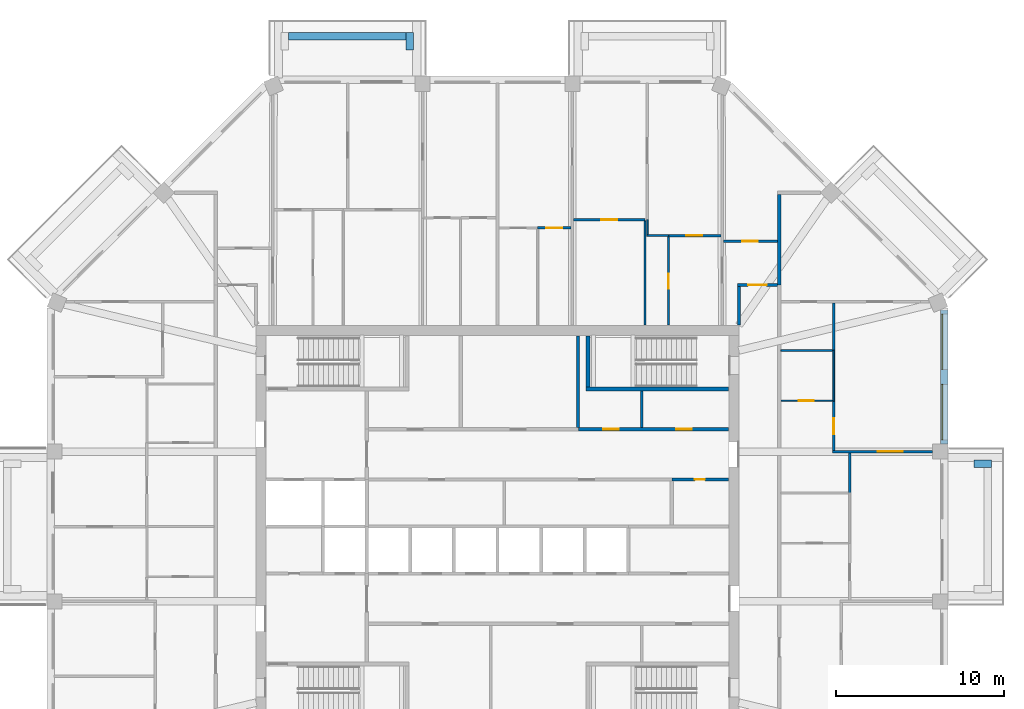
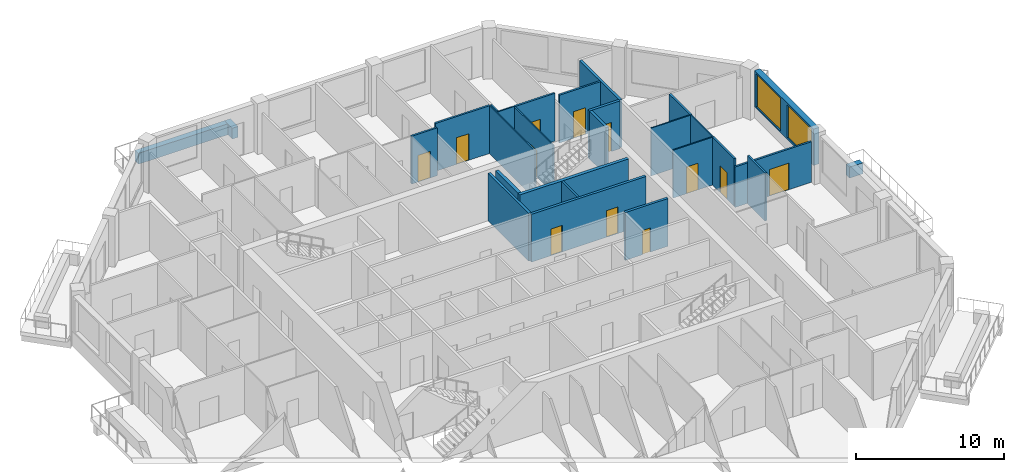
# One storey, part 9 of 13: 28 walls, 12 doors, 2 windows, 14 openings.
"""IFC4 building model written with IfcOpenShell, lengths in metres."""

from ifc_helpers import new_model, si_unit, direction, frame, frame_2d, origin, place, context, subcontext, project, spatial, rectangle, extrude, material, layer, layer_set, type_object, element, fill, save


model = new_model("IFC4")

# Units and contexts
model_context = context("Model", 3, precision=1e-05, world=origin(), true_north=direction((0.0, 1.0)))
body_context = subcontext(model_context, "Body", "Model", "MODEL_VIEW")
ifc_project = project(units=[si_unit("LENGTHUNIT", "METRE"), si_unit("AREAUNIT", "SQUARE_METRE"), si_unit("VOLUMEUNIT", "CUBIC_METRE"), si_unit("PLANEANGLEUNIT", "RADIAN"), si_unit("MASSUNIT", "GRAM", prefix="KILO")], contexts=[model_context])

# Site, building, storey
site_placement = place(None, origin())
site = spatial("IfcSite", under=ifc_project, at=site_placement, CompositionType="ELEMENT")
building_placement = place(site_placement, origin())
building = spatial("IfcBuilding", under=site, at=building_placement, Name="Msitu Wima Residences", CompositionType="ELEMENT")
storey_placement = place(building_placement, frame((0.0, 0.0, 285.300048828125)))
storey = spatial("IfcBuildingStorey", under=building, at=storey_placement, Name="L66", CompositionType="ELEMENT", Elevation=285.300048828125)

# Walls
ifc_material_1 = material(Name="Facing brick")
ifc_layer_1 = layer(ifc_material_1, 0.06494140625, Name="Facing brick")
ifc_material_2 = material(Name="Concrete C40/50", Category="concrete")
ifc_layer_2 = layer(ifc_material_2, 0.156005859375, Name="Concrete C40/50")
ifc_material_3 = material(Name="Waterproofing membrane")
ifc_layer_3 = layer(ifc_material_3, 0.00390625, Name="Waterproofing membrane")
ifc_material_4 = material(Name="Planting soil and planting")
ifc_layer_4 = layer(ifc_material_4, 0.22509765625, Name="Planting soil and planting")
ifc_layer_set_1 = layer_set([ifc_layer_1, ifc_layer_2, ifc_layer_3, ifc_layer_4], Name="Concrete C40/50")
wall_type_1 = type_object("IfcWallType", Name="Balcony planter PLANTER PL450", PredefinedType="USERDEFINED", material=ifc_layer_set_1)
wall_1_placement = place(storey_placement, frame((28.39990234375, 3.74365234375, 0.0), z_axis=(0.0, 0.0, 1.0), x_axis=(1.0, 0.0, 0.0)))
element("IfcWall", 1, at=wall_1_placement, inside=storey, type_object=wall_type_1, Name="Balcony planter E1 L66", ObjectType="PLANTER", PredefinedType="USERDEFINED", context=body_context, shape_type="SweptSolid", body=[
    extrude(rectangle(XDim=1.050048828125, YDim=0.449951171875, at=frame_2d((0.52490234375, 0.0))), origin(), (0.0, 0.0, 1.0), 0.89990234375),
])
wall_2_placement = place(storey_placement, frame((-5.468505859375, 29.22509765625, 0.0), z_axis=(0.0, 0.0, 1.0), x_axis=(-1.0, 0.0, 0.0)))
element("IfcWall", 2, at=wall_2_placement, inside=storey, type_object=wall_type_1, Name="Balcony planter N2 L66", ObjectType="PLANTER", PredefinedType="USERDEFINED", context=body_context, shape_type="SweptSolid", body=[
    extrude(rectangle(XDim=6.9873046875, YDim=0.449951171875, at=frame_2d((3.49365234375, 0.0))), origin(), (0.0, 0.0, 1.0), 0.89990234375),
])
wall_3_placement = place(storey_placement, frame((-5.24365234375, 28.39990234375, 0.0), z_axis=(0.0, 0.0, 1.0), x_axis=(0.0, 1.0, 0.0)))
element("IfcWall", 3, at=wall_3_placement, inside=storey, type_object=wall_type_1, Name="Balcony planter N2 L66", ObjectType="PLANTER", PredefinedType="USERDEFINED", context=body_context, shape_type="SweptSolid", body=[
    extrude(rectangle(XDim=1.050048828125, YDim=0.449951171875, at=frame_2d((0.52490234375, 0.0))), origin(), (0.0, 0.0, 1.0), 0.89990234375),
])

# Wall, openings, windows
ifc_material_5 = material(Name="Brick (red buff mix)", Category="masonry")
ifc_layer_5 = layer(ifc_material_5, 0.449951171875)
ifc_layer_set_2 = layer_set([ifc_layer_5], Name="Brick (red buff mix)")
wall_type_2 = type_object("IfcWallType", Name="Brick infill wall BW450", PredefinedType="SOLIDWALL", material=ifc_layer_set_2)
wall_4_placement = place(storey_placement, frame((26.625, 4.918701171875, 0.89990234375), z_axis=(0.0, 0.0, 1.0), x_axis=(0.0, 1.0, 0.0)))
wall_4 = element("IfcWall", 4, at=wall_4_placement, inside=storey, type_object=wall_type_2, Name="Brick infill wall L66 E2", PredefinedType="SOLIDWALL", context=body_context, shape_type="SweptSolid", body=[
    extrude(rectangle(XDim=8.0, YDim=0.449951171875, at=frame_2d((4.0, 0.0))), origin(), (0.0, 0.0, 1.0), 3.0),
])
opening_1_placement = place(wall_4_placement, frame((0.25, 0.0, 0.14990234375)))
opening_1 = element("IfcOpeningElement", 5, at=opening_1_placement, cuts=wall_4, Name="Opening W65-67.004", PredefinedType="OPENING", context=body_context, shape_type="SweptSolid", body=[
    extrude(rectangle(XDim=3.300048828125, YDim=2.699951171875, at=frame_2d((1.64990234375, 1.35009765625))), frame((0.0, 0.23486328125, 0.0), z_axis=(0.0, -1.0, 0.0), x_axis=(1.0, 0.0, 0.0)), (0.0, 0.0, 1.0), 0.469970703125),
])
opening_2_placement = place(wall_4_placement, frame((4.4501953125, 0.0, 0.14990234375)))
opening_2 = element("IfcOpeningElement", 6, at=opening_2_placement, cuts=wall_4, Name="Opening W65-67.005", PredefinedType="OPENING", context=body_context, shape_type="SweptSolid", body=[
    extrude(rectangle(XDim=3.300048828125, YDim=2.699951171875, at=frame_2d((1.64990234375, 1.35009765625))), frame((0.0, 0.23486328125, 0.0), z_axis=(0.0, -1.0, 0.0), x_axis=(1.0, 0.0, 0.0)), (0.0, 0.0, 1.0), 0.469970703125),
])
ifc_material_6 = material(Name="Anodised aluminium, bronze finish, clear low-emissivity double glazing", Category="aluminium")
window_type = type_object("IfcWindowType", Name="Window W3300x2700", PartitioningType="DOUBLE_PANEL_VERTICAL", PredefinedType="WINDOW", material=ifc_material_6)
window_1_placement = place(opening_1_placement, origin())
window_1 = element("IfcWindow", 7, at=window_1_placement, inside=storey, type_object=window_type, Name="Window L66 E2.1", OverallHeight=2.699951171875, OverallWidth=3.300048828125, PartitioningType="SINGLE_PANEL", PredefinedType="WINDOW", context=body_context, shape_type="SweptSolid", body=[
    extrude(rectangle(XDim=3.300048828125, YDim=2.699951171875, at=frame_2d((1.64990234375, 1.35009765625))), frame((0.0, 0.135009765625, 0.0), z_axis=(0.0, -1.0, 0.0), x_axis=(1.0, 0.0, 0.0)), (0.0, 0.0, 1.0), 0.06005859375),
])
fill(opening_1, window_1)
window_2_placement = place(opening_2_placement, origin())
window_2 = element("IfcWindow", 8, at=window_2_placement, inside=storey, type_object=window_type, Name="Window L66 E2.2", OverallHeight=2.699951171875, OverallWidth=3.300048828125, PartitioningType="SINGLE_PANEL", PredefinedType="WINDOW", context=body_context, shape_type="SweptSolid", body=[
    extrude(rectangle(XDim=3.300048828125, YDim=2.699951171875, at=frame_2d((1.64990234375, 1.35009765625))), frame((0.0, 0.135009765625, 0.0), z_axis=(0.0, -1.0, 0.0), x_axis=(1.0, 0.0, 0.0)), (0.0, 0.0, 1.0), 0.06005859375),
])
fill(opening_2, window_2)

# Wall, openings, doors
ifc_material_7 = material(Name="Plaster")
ifc_layer_6 = layer(ifc_material_7, 0.011962890625, Name="Plaster")
ifc_material_8 = material(Name="Concrete blockwork", Category="masonry")
ifc_layer_7 = layer(ifc_material_8, 0.176025390625, Name="Concrete blockwork")
ifc_layer_8 = layer(ifc_material_7, 0.011962890625, Name="Plaster")
ifc_layer_set_3 = layer_set([ifc_layer_6, ifc_layer_7, ifc_layer_8], Name="Concrete blockwork")
wall_type_3 = type_object("IfcWallType", Name="Corridor wall FW200", PredefinedType="PARTITIONING", material=ifc_layer_set_3)
wall_5_placement = place(storey_placement, frame((4.820068359375, 5.800048828125, 0.0), z_axis=(0.0, 0.0, 1.0), x_axis=(1.0, 0.0, 0.0)))
wall_5 = element("IfcWall", 9, at=wall_5_placement, inside=storey, type_object=wall_type_3, Name="Corridor wall", PredefinedType="PARTITIONING", context=body_context, shape_type="SweptSolid", body=[
    extrude(rectangle(XDim=8.949951171875, YDim=0.199951171875, at=frame_2d((4.47509765625, 0.0))), origin(), (0.0, 0.0, 1.0), 3.949951171875),
])
opening_3_placement = place(wall_5_placement, frame((1.5, 0.0, 0.0)))
opening_3 = element("IfcOpeningElement", 10, at=opening_3_placement, cuts=wall_5, Name="Opening D65-67.081", PredefinedType="OPENING", context=body_context, shape_type="SweptSolid", body=[
    extrude(rectangle(XDim=0.89990234375, YDim=2.199951171875, at=frame_2d((0.449951171875, 1.10009765625))), frame((0.0, 0.10986328125, 0.0), z_axis=(0.0, -1.0, 0.0), x_axis=(1.0, 0.0, 0.0)), (0.0, 0.0, 1.0), 0.219970703125),
])
opening_4_placement = place(wall_5_placement, frame((5.85009765625, 0.0, 0.0)))
opening_4 = element("IfcOpeningElement", 11, at=opening_4_placement, cuts=wall_5, Name="Opening D65-67.082", PredefinedType="OPENING", context=body_context, shape_type="SweptSolid", body=[
    extrude(rectangle(XDim=0.89990234375, YDim=2.199951171875, at=frame_2d((0.449951171875, 1.10009765625))), frame((0.0, 0.10986328125, 0.0), z_axis=(0.0, -1.0, 0.0), x_axis=(1.0, 0.0, 0.0)), (0.0, 0.0, 1.0), 0.219970703125),
])
ifc_material_9 = material(Name="Timber flush door", Category="wood")
door_type_1 = type_object("IfcDoorType", Name="Service door D05 900x2200", OperationType="SINGLE_SWING_LEFT", PredefinedType="DOOR", material=ifc_material_9)
door_1_placement = place(opening_3_placement, origin())
door_1 = element("IfcDoor", 12, at=door_1_placement, inside=storey, type_object=door_type_1, Name="Service door", OperationType="SINGLE_SWING_RIGHT", OverallHeight=2.199951171875, OverallWidth=0.89990234375, PredefinedType="DOOR", context=body_context, shape_type="SweptSolid", body=[
    extrude(rectangle(XDim=0.89990234375, YDim=2.199951171875, at=frame_2d((0.449951171875, 1.10009765625))), frame((0.0, 0.02490234375, 0.0), z_axis=(0.0, -1.0, 0.0), x_axis=(1.0, 0.0, 0.0)), (0.0, 0.0, 1.0), 0.050048828125),
])
fill(opening_3, door_1)
door_2_placement = place(opening_4_placement, origin())
door_2 = element("IfcDoor", 13, at=door_2_placement, inside=storey, type_object=door_type_1, Name="Service door", OperationType="SINGLE_SWING_LEFT", OverallHeight=2.199951171875, OverallWidth=0.89990234375, PredefinedType="DOOR", context=body_context, shape_type="SweptSolid", body=[
    extrude(rectangle(XDim=0.89990234375, YDim=2.199951171875, at=frame_2d((0.449951171875, 1.10009765625))), frame((0.0, 0.02490234375, 0.0), z_axis=(0.0, -1.0, 0.0), x_axis=(1.0, 0.0, 0.0)), (0.0, 0.0, 1.0), 0.050048828125),
])
fill(opening_4, door_2)

# Wall
wall_6_placement = place(storey_placement, frame((14.39990234375, 12.030029296875, 0.0), z_axis=(0.0, 0.0, 1.0), x_axis=(0.0, 1.0, 0.0)))
element("IfcWall", 14, at=wall_6_placement, inside=storey, type_object=wall_type_3, Name="Corridor wall", PredefinedType="PARTITIONING", context=body_context, shape_type="SweptSolid", body=[
    extrude(rectangle(XDim=2.27001953125, YDim=0.199951171875, at=frame_2d((1.135009765625, 0.0))), origin(), (0.0, 0.0, 1.0), 3.949951171875),
])

# Wall, opening, door
wall_7_placement = place(storey_placement, frame((14.300048828125, 14.39990234375, 0.0), z_axis=(0.0, 0.0, 1.0), x_axis=(1.0, 0.0, 0.0)))
wall_7 = element("IfcWall", 15, at=wall_7_placement, inside=storey, type_object=wall_type_3, Name="Corridor wall", PredefinedType="PARTITIONING", context=body_context, shape_type="SweptSolid", body=[
    extrude(rectangle(XDim=2.39990234375, YDim=0.199951171875, at=frame_2d((1.199951171875, 0.0))), origin(), (0.0, 0.0, 1.0), 3.949951171875),
])
opening_5_placement = place(wall_7_placement, frame((0.64990234375, 0.0, 0.0)))
opening_5 = element("IfcOpeningElement", 16, at=opening_5_placement, cuts=wall_7, Name="Opening D65-67.022", PredefinedType="OPENING", context=body_context, shape_type="SweptSolid", body=[
    extrude(rectangle(XDim=1.10009765625, YDim=2.39990234375, at=frame_2d((0.550048828125, 1.199951171875))), frame((0.0, 0.10986328125, 0.0), z_axis=(0.0, -1.0, 0.0), x_axis=(1.0, 0.0, 0.0)), (0.0, 0.0, 1.0), 0.219970703125),
])
ifc_material_10 = material(Name="Timber flush door, fire resisting, self-closing", Category="wood")
door_type_2 = type_object("IfcDoorType", Name="Flat entrance door D01 1100x2400", OperationType="SINGLE_SWING_LEFT", PredefinedType="DOOR", material=ifc_material_10)
door_3_placement = place(opening_5_placement, origin())
door_3 = element("IfcDoor", 17, at=door_3_placement, inside=storey, type_object=door_type_2, Name="Flat entrance door", OperationType="SINGLE_SWING_RIGHT", OverallHeight=2.39990234375, OverallWidth=1.10009765625, PredefinedType="DOOR", context=body_context, shape_type="SweptSolid", body=[
    extrude(rectangle(XDim=1.10009765625, YDim=2.39990234375, at=frame_2d((0.550048828125, 1.199951171875))), frame((0.0, 0.02490234375, 0.0), z_axis=(0.0, -1.0, 0.0), x_axis=(1.0, 0.0, 0.0)), (0.0, 0.0, 1.0), 0.050048828125),
])
fill(opening_5, door_3)

ifc_layer_9 = layer(ifc_material_7, 0.011962890625, Name="Plaster")
ifc_layer_10 = layer(ifc_material_8, 0.1259765625, Name="Concrete blockwork")
ifc_layer_11 = layer(ifc_material_7, 0.011962890625, Name="Plaster")
ifc_layer_set_4 = layer_set([ifc_layer_9, ifc_layer_10, ifc_layer_11], Name="Concrete blockwork")
wall_type_4 = type_object("IfcWallType", Name="Partition PW150", PredefinedType="PARTITIONING", material=ifc_layer_set_4)
wall_8_placement = place(storey_placement, frame((2.39990234375, 17.800048828125, 0.0), z_axis=(0.0, 0.0, 1.0), x_axis=(1.0, 0.0, 0.0)))
wall_8 = element("IfcWall", 18, at=wall_8_placement, inside=storey, type_object=wall_type_4, Name="Partition", PredefinedType="PARTITIONING", context=body_context, shape_type="SweptSolid", body=[
    extrude(rectangle(XDim=1.99365234375, YDim=0.14990234375, at=frame_2d((0.996826171875, 0.0))), origin(), (0.0, 0.0, 1.0), 3.949951171875),
])
opening_6_placement = place(wall_8_placement, frame((0.5, 0.0, 0.0)))
opening_6 = element("IfcOpeningElement", 19, at=opening_6_placement, cuts=wall_8, Name="Opening D65-67.031", PredefinedType="OPENING", context=body_context, shape_type="SweptSolid", body=[
    extrude(rectangle(XDim=0.949951171875, YDim=2.199951171875, at=frame_2d((0.47509765625, 1.10009765625))), frame((0.0, 0.0849609375, 0.0), z_axis=(0.0, -1.0, 0.0), x_axis=(1.0, 0.0, 0.0)), (0.0, 0.0, 1.0), 0.169921875),
])
door_type_3 = type_object("IfcDoorType", Name="Room door D12 950x2200", OperationType="SINGLE_SWING_LEFT", PredefinedType="DOOR", material=ifc_material_9)
door_4_placement = place(opening_6_placement, origin())
door_4 = element("IfcDoor", 20, at=door_4_placement, inside=storey, type_object=door_type_3, Name="Room door", OperationType="SINGLE_SWING_RIGHT", OverallHeight=2.199951171875, OverallWidth=0.949951171875, PredefinedType="DOOR", context=body_context, shape_type="SweptSolid", body=[
    extrude(rectangle(XDim=0.949951171875, YDim=2.199951171875, at=frame_2d((0.47509765625, 1.10009765625))), frame((0.0, 0.02490234375, 0.0), z_axis=(0.0, -1.0, 0.0), x_axis=(1.0, 0.0, 0.0)), (0.0, 0.0, 1.0), 0.050048828125),
])
fill(opening_6, door_4)

wall_9_placement = place(storey_placement, frame((4.543701171875, 18.300048828125, 0.0), z_axis=(0.0, 0.0, 1.0), x_axis=(1.0, 0.0, 0.0)))
wall_9 = element("IfcWall", 21, at=wall_9_placement, inside=storey, type_object=wall_type_4, Name="Partition", PredefinedType="PARTITIONING", context=body_context, shape_type="SweptSolid", body=[
    extrude(rectangle(XDim=4.25634765625, YDim=0.14990234375, at=frame_2d((2.128173828125, 0.0))), origin(), (0.0, 0.0, 1.0), 3.949951171875),
])
opening_7_placement = place(wall_9_placement, frame((1.64990234375, 0.0, 0.0)))
opening_7 = element("IfcOpeningElement", 22, at=opening_7_placement, cuts=wall_9, Name="Opening D65-67.028", PredefinedType="OPENING", context=body_context, shape_type="SweptSolid", body=[
    extrude(rectangle(XDim=0.949951171875, YDim=2.199951171875, at=frame_2d((0.47509765625, 1.10009765625))), frame((0.0, 0.0849609375, 0.0), z_axis=(0.0, -1.0, 0.0), x_axis=(1.0, 0.0, 0.0)), (0.0, 0.0, 1.0), 0.169921875),
])
door_5_placement = place(opening_7_placement, origin())
door_5 = element("IfcDoor", 23, at=door_5_placement, inside=storey, type_object=door_type_3, Name="Room door", OperationType="SINGLE_SWING_LEFT", OverallHeight=2.199951171875, OverallWidth=0.949951171875, PredefinedType="DOOR", context=body_context, shape_type="SweptSolid", body=[
    extrude(rectangle(XDim=0.949951171875, YDim=2.199951171875, at=frame_2d((0.47509765625, 1.10009765625))), frame((0.0, 0.02490234375, 0.0), z_axis=(0.0, -1.0, 0.0), x_axis=(1.0, 0.0, 0.0)), (0.0, 0.0, 1.0), 0.050048828125),
])
fill(opening_7, door_5)

# Wall
wall_10_placement = place(storey_placement, frame((8.60009765625, 5.89990234375, 0.0), z_axis=(0.0, 0.0, 1.0), x_axis=(0.0, 1.0, 0.0)))
element("IfcWall", 24, at=wall_10_placement, inside=storey, type_object=wall_type_4, Name="Partition", PredefinedType="PARTITIONING", context=body_context, shape_type="SweptSolid", body=[
    extrude(rectangle(XDim=2.175048828125, YDim=0.14990234375, at=frame_2d((1.08740234375, 0.0))), origin(), (0.0, 0.0, 1.0), 3.949951171875),
])

# Wall, opening, door
wall_11_placement = place(storey_placement, frame((10.199951171875, 17.35009765625, 0.0), z_axis=(0.0, 0.0, 1.0), x_axis=(1.0, 0.0, 0.0)))
wall_11 = element("IfcWall", 25, at=wall_11_placement, inside=storey, type_object=wall_type_4, Name="Partition", PredefinedType="PARTITIONING", context=body_context, shape_type="SweptSolid", body=[
    extrude(rectangle(XDim=3.130859375, YDim=0.14990234375, at=frame_2d((1.5654296875, 0.0))), origin(), (0.0, 0.0, 1.0), 3.949951171875),
])
opening_8_placement = place(wall_11_placement, frame((1.050048828125, 0.0, 0.0)))
opening_8 = element("IfcOpeningElement", 26, at=opening_8_placement, cuts=wall_11, Name="Opening D65-67.024", PredefinedType="OPENING", context=body_context, shape_type="SweptSolid", body=[
    extrude(rectangle(XDim=0.949951171875, YDim=2.199951171875, at=frame_2d((0.47509765625, 1.10009765625))), frame((0.0, 0.0849609375, 0.0), z_axis=(0.0, -1.0, 0.0), x_axis=(1.0, 0.0, 0.0)), (0.0, 0.0, 1.0), 0.169921875),
])
door_6_placement = place(opening_8_placement, origin())
door_6 = element("IfcDoor", 27, at=door_6_placement, inside=storey, type_object=door_type_3, Name="Room door", OperationType="SINGLE_SWING_RIGHT", OverallHeight=2.199951171875, OverallWidth=0.949951171875, PredefinedType="DOOR", context=body_context, shape_type="SweptSolid", body=[
    extrude(rectangle(XDim=0.949951171875, YDim=2.199951171875, at=frame_2d((0.47509765625, 1.10009765625))), frame((0.0, 0.02490234375, 0.0), z_axis=(0.0, -1.0, 0.0), x_axis=(1.0, 0.0, 0.0)), (0.0, 0.0, 1.0), 0.050048828125),
])
fill(opening_8, door_6)

wall_12_placement = place(storey_placement, frame((13.48095703125, 17.0, 0.0), z_axis=(0.0, 0.0, 1.0), x_axis=(1.0, 0.0, 0.0)))
wall_12 = element("IfcWall", 28, at=wall_12_placement, inside=storey, type_object=wall_type_4, Name="Partition", PredefinedType="PARTITIONING", context=body_context, shape_type="SweptSolid", body=[
    extrude(rectangle(XDim=3.218994140625, YDim=0.14990234375, at=frame_2d((1.609375, 0.0))), origin(), (0.0, 0.0, 1.0), 3.949951171875),
])
opening_9_placement = place(wall_12_placement, frame((1.10009765625, 0.0, 0.0)))
opening_9 = element("IfcOpeningElement", 29, at=opening_9_placement, cuts=wall_12, Name="Opening D65-67.025", PredefinedType="OPENING", context=body_context, shape_type="SweptSolid", body=[
    extrude(rectangle(XDim=0.949951171875, YDim=2.199951171875, at=frame_2d((0.47509765625, 1.10009765625))), frame((0.0, 0.0849609375, 0.0), z_axis=(0.0, -1.0, 0.0), x_axis=(1.0, 0.0, 0.0)), (0.0, 0.0, 1.0), 0.169921875),
])
door_7_placement = place(opening_9_placement, origin())
door_7 = element("IfcDoor", 30, at=door_7_placement, inside=storey, type_object=door_type_3, Name="Room door", OperationType="SINGLE_SWING_LEFT", OverallHeight=2.199951171875, OverallWidth=0.949951171875, PredefinedType="DOOR", context=body_context, shape_type="SweptSolid", body=[
    extrude(rectangle(XDim=0.949951171875, YDim=2.199951171875, at=frame_2d((0.47509765625, 1.10009765625))), frame((0.0, 0.02490234375, 0.0), z_axis=(0.0, -1.0, 0.0), x_axis=(1.0, 0.0, 0.0)), (0.0, 0.0, 1.0), 0.050048828125),
])
fill(opening_9, door_7)

wall_13_placement = place(storey_placement, frame((20.050048828125, 4.543701171875, 0.0), z_axis=(0.0, 0.0, 1.0), x_axis=(0.0, 1.0, 0.0)))
wall_13 = element("IfcWall", 31, at=wall_13_placement, inside=storey, type_object=wall_type_4, Name="Partition", PredefinedType="PARTITIONING", context=body_context, shape_type="SweptSolid", body=[
    extrude(rectangle(XDim=2.936279296875, YDim=0.14990234375, at=frame_2d((1.46826171875, 0.0))), origin(), (0.0, 0.0, 1.0), 3.949951171875),
])
opening_10_placement = place(wall_13_placement, frame((0.949951171875, 0.0, 0.0)))
opening_10 = element("IfcOpeningElement", 32, at=opening_10_placement, cuts=wall_13, Name="Opening D65-67.020", PredefinedType="OPENING", context=body_context, shape_type="SweptSolid", body=[
    extrude(rectangle(XDim=0.949951171875, YDim=2.199951171875, at=frame_2d((0.47509765625, 1.10009765625))), frame((0.0, 0.0849609375, 0.0), z_axis=(0.0, -1.0, 0.0), x_axis=(1.0, 0.0, 0.0)), (0.0, 0.0, 1.0), 0.169921875),
])
door_8_placement = place(opening_10_placement, origin())
door_8 = element("IfcDoor", 33, at=door_8_placement, inside=storey, type_object=door_type_3, Name="Room door", OperationType="SINGLE_SWING_RIGHT", OverallHeight=2.199951171875, OverallWidth=0.949951171875, PredefinedType="DOOR", context=body_context, shape_type="SweptSolid", body=[
    extrude(rectangle(XDim=0.949951171875, YDim=2.199951171875, at=frame_2d((0.47509765625, 1.10009765625))), frame((0.0, 0.02490234375, 0.0), z_axis=(0.0, -1.0, 0.0), x_axis=(1.0, 0.0, 0.0)), (0.0, 0.0, 1.0), 0.050048828125),
])
fill(opening_10, door_8)

wall_14_placement = place(storey_placement, frame((19.97509765625, 4.46875, 0.0), z_axis=(0.0, 0.0, 1.0), x_axis=(1.0, 0.0, 0.0)))
wall_14 = element("IfcWall", 34, at=wall_14_placement, inside=storey, type_object=wall_type_4, Name="Partition", PredefinedType="PARTITIONING", context=body_context, shape_type="SweptSolid", body=[
    extrude(rectangle(XDim=5.974853515625, YDim=0.14990234375, at=frame_2d((2.9873046875, 0.0))), origin(), (0.0, 0.0, 1.0), 3.349853515625),
])
opening_11_placement = place(wall_14_placement, frame((2.699951171875, 0.0, 0.0)))
opening_11 = element("IfcOpeningElement", 35, at=opening_11_placement, cuts=wall_14, Name="Opening D65-67.018", PredefinedType="OPENING", context=body_context, shape_type="SweptSolid", body=[
    extrude(rectangle(XDim=1.5, YDim=2.199951171875, at=frame_2d((0.75, 1.10009765625))), frame((0.0, 0.0849609375, 0.0), z_axis=(0.0, -1.0, 0.0), x_axis=(1.0, 0.0, 0.0)), (0.0, 0.0, 1.0), 0.169921875),
])
ifc_material_11 = material(Name="Timber double door", Category="wood")
door_type_4 = type_object("IfcDoorType", Name="Double door D04 1500x2200", OperationType="DOUBLE_DOOR_SINGLE_SWING", PredefinedType="DOOR", material=ifc_material_11)
door_9_placement = place(opening_11_placement, origin())
door_9 = element("IfcDoor", 36, at=door_9_placement, inside=storey, type_object=door_type_4, Name="Double door", OperationType="DOUBLE_DOOR_SINGLE_SWING", OverallHeight=2.199951171875, OverallWidth=1.5, PredefinedType="DOOR", context=body_context, shape_type="SweptSolid", body=[
    extrude(rectangle(XDim=1.5, YDim=2.199951171875, at=frame_2d((0.75, 1.10009765625))), frame((0.0, 0.02490234375, 0.0), z_axis=(0.0, -1.0, 0.0), x_axis=(1.0, 0.0, 0.0)), (0.0, 0.0, 1.0), 0.050048828125),
])
fill(opening_11, door_9)

# Walls
wall_15_placement = place(storey_placement, frame((20.050048828125, 10.5, 0.0), z_axis=(0.0, 0.0, 1.0), x_axis=(0.0, 1.0, 0.0)))
element("IfcWall", 37, at=wall_15_placement, inside=storey, type_object=wall_type_4, Name="Partition", PredefinedType="PARTITIONING", context=body_context, shape_type="SweptSolid", body=[
    extrude(rectangle(XDim=2.830810546875, YDim=0.14990234375, at=frame_2d((1.41552734375, 0.0))), origin(), (0.0, 0.0, 1.0), 3.949951171875),
])
wall_16_placement = place(storey_placement, frame((21.0, 2.0, 0.0), z_axis=(0.0, 0.0, 1.0), x_axis=(0.0, 1.0, 0.0)))
element("IfcWall", 38, at=wall_16_placement, inside=storey, type_object=wall_type_4, Name="Partition", PredefinedType="PARTITIONING", context=body_context, shape_type="SweptSolid", body=[
    extrude(rectangle(XDim=2.3935546875, YDim=0.14990234375, at=frame_2d((1.19677734375, 0.0))), origin(), (0.0, 0.0, 1.0), 3.949951171875),
])
ifc_layer_12 = layer(ifc_material_7, 0.011962890625, Name="Plaster")
ifc_material_12 = material(Name="Dense concrete blockwork", Category="masonry")
ifc_layer_13 = layer(ifc_material_12, 0.176025390625, Name="Dense concrete blockwork")
ifc_layer_14 = layer(ifc_material_7, 0.011962890625, Name="Plaster")
ifc_layer_set_5 = layer_set([ifc_layer_12, ifc_layer_13, ifc_layer_14], Name="Dense concrete blockwork")
wall_type_5 = type_object("IfcWallType", Name="Party wall PW200", PredefinedType="PARTITIONING", material=ifc_layer_set_5)
wall_17_placement = place(storey_placement, frame((16.800048828125, 14.39990234375, 0.0), z_axis=(0.0, 0.0, 1.0), x_axis=(0.0, 1.0, 0.0)))
element("IfcWall", 39, at=wall_17_placement, inside=storey, type_object=wall_type_5, Name="Party wall", PredefinedType="PARTITIONING", context=body_context, shape_type="SweptSolid", body=[
    extrude(rectangle(XDim=5.403076171875, YDim=0.199951171875, at=frame_2d((2.70166015625, 0.0))), origin(), (0.0, 0.0, 1.0), 3.949951171875),
])
ifc_layer_15 = layer(ifc_material_7, 0.011962890625, Name="Plaster")
ifc_material_13 = material(Name="Reinforced concrete blockwork", Category="masonry")
ifc_layer_16 = layer(ifc_material_13, 0.176025390625, Name="Reinforced concrete blockwork")
ifc_layer_17 = layer(ifc_material_7, 0.011962890625, Name="Plaster")
ifc_layer_set_6 = layer_set([ifc_layer_15, ifc_layer_16, ifc_layer_17], Name="Reinforced concrete blockwork")
wall_type_6 = type_object("IfcWallType", Name="Plant and riser wall PL200", PredefinedType="PARTITIONING", material=ifc_layer_set_6)
wall_18_placement = place(storey_placement, frame((4.800048828125, 5.89990234375, 0.0), z_axis=(0.0, 0.0, 1.0), x_axis=(0.0, 1.0, 0.0)))
element("IfcWall", 40, at=wall_18_placement, inside=storey, type_object=wall_type_6, Name="Plant and riser wall", PredefinedType="PARTITIONING", context=body_context, shape_type="SweptSolid", body=[
    extrude(rectangle(XDim=5.47021484375, YDim=0.199951171875, at=frame_2d((2.735107421875, 0.0))), origin(), (0.0, 0.0, 1.0), 3.949951171875),
])

# Wall, opening, door
wall_19_placement = place(storey_placement, frame((10.419921875, 2.800048828125, 0.0), z_axis=(0.0, 0.0, 1.0), x_axis=(1.0, 0.0, 0.0)))
wall_19 = element("IfcWall", 41, at=wall_19_placement, inside=storey, type_object=wall_type_6, Name="Plant and riser wall", PredefinedType="PARTITIONING", context=body_context, shape_type="SweptSolid", body=[
    extrude(rectangle(XDim=3.35009765625, YDim=0.199951171875, at=frame_2d((1.675048828125, 0.0))), origin(), (0.0, 0.0, 1.0), 3.949951171875),
])
opening_12_placement = place(wall_19_placement, frame((1.35009765625, 0.0, 0.0)))
opening_12 = element("IfcOpeningElement", 42, at=opening_12_placement, cuts=wall_19, Name="Opening D65-67.090", PredefinedType="OPENING", context=body_context, shape_type="SweptSolid", body=[
    extrude(rectangle(XDim=0.60009765625, YDim=2.0, at=frame_2d((0.300048828125, 1.0))), frame((0.0, 0.10986328125, 0.0), z_axis=(0.0, -1.0, 0.0), x_axis=(1.0, 0.0, 0.0)), (0.0, 0.0, 1.0), 0.219970703125),
])
ifc_material_14 = material(Name="Steel access door, fire resisting", Category="steel")
door_type_5 = type_object("IfcDoorType", Name="Riser access door D08 600x2000", OperationType="SINGLE_SWING_LEFT", PredefinedType="DOOR", material=ifc_material_14)
door_10_placement = place(opening_12_placement, origin())
door_10 = element("IfcDoor", 43, at=door_10_placement, inside=storey, type_object=door_type_5, Name="Riser access door", OperationType="SINGLE_SWING_RIGHT", OverallHeight=2.0, OverallWidth=0.60009765625, PredefinedType="DOOR", context=body_context, shape_type="SweptSolid", body=[
    extrude(rectangle(XDim=0.60009765625, YDim=2.0, at=frame_2d((0.300048828125, 1.0))), frame((0.0, 0.02490234375, 0.0), z_axis=(0.0, -1.0, 0.0), x_axis=(1.0, 0.0, 0.0)), (0.0, 0.0, 1.0), 0.050048828125),
])
fill(opening_12, door_10)

# Walls
ifc_material_15 = material(Name="Concrete C50/60", Category="concrete")
ifc_layer_18 = layer(ifc_material_15, 0.25)
ifc_layer_set_7 = layer_set([ifc_layer_18], Name="Concrete C50/60")
wall_type_7 = type_object("IfcWallType", Name="Stair enclosure wall SW250", PredefinedType="SHEAR", material=ifc_layer_set_7)
wall_20_placement = place(storey_placement, frame((5.39990234375, 8.324951171875, 0.0), z_axis=(0.0, 0.0, 1.0), x_axis=(0.0, 1.0, 0.0)))
element("IfcWall", 44, at=wall_20_placement, inside=storey, type_object=wall_type_7, Name="Stair enclosure wall", PredefinedType="SHEAR", context=body_context, shape_type="SweptSolid", body=[
    extrude(rectangle(XDim=3.045166015625, YDim=0.25, at=frame_2d((1.5224609375, 0.0))), origin(), (0.0, 0.0, 1.0), 3.949951171875),
])
wall_21_placement = place(storey_placement, frame((5.27490234375, 8.199951171875, 0.0), z_axis=(0.0, 0.0, 1.0), x_axis=(1.0, 0.0, 0.0)))
element("IfcWall", 45, at=wall_21_placement, inside=storey, type_object=wall_type_7, Name="Stair enclosure wall", PredefinedType="SHEAR", context=body_context, shape_type="SweptSolid", body=[
    extrude(rectangle(XDim=8.4951171875, YDim=0.25, at=frame_2d((4.24755859375, 0.0))), origin(), (0.0, 0.0, 1.0), 3.949951171875),
])
ifc_material_16 = material(Name="Ceramic tiles")
ifc_layer_19 = layer(ifc_material_16, 0.008056640625, Name="Ceramic tiles")
ifc_material_17 = material(Name="Moisture-resistant board")
ifc_layer_20 = layer(ifc_material_17, 0.012451171875, Name="Moisture-resistant board")
ifc_material_18 = material(Name="Light-gauge stud framing with mineral wool")
ifc_layer_21 = layer(ifc_material_18, 0.06689453125, Name="Light-gauge stud framing with mineral wool")
ifc_layer_22 = layer(ifc_material_17, 0.012451171875, Name="Moisture-resistant board")
ifc_layer_set_8 = layer_set([ifc_layer_19, ifc_layer_20, ifc_layer_21, ifc_layer_22], Name="Light-gauge stud framing with mineral wool")
wall_type_8 = type_object("IfcWallType", Name="Wet wall PW100", PredefinedType="PARTITIONING", material=ifc_layer_set_8)
wall_22_placement = place(storey_placement, frame((8.800048828125, 12.030029296875, 0.0), z_axis=(0.0, 0.0, 1.0), x_axis=(0.0, 1.0, 0.0)))
element("IfcWall", 46, at=wall_22_placement, inside=storey, type_object=wall_type_8, Name="Wet wall", PredefinedType="PARTITIONING", context=body_context, shape_type="SweptSolid", body=[
    extrude(rectangle(XDim=6.195068359375, YDim=0.10009765625, at=frame_2d((3.09765625, 0.0))), origin(), (0.0, 0.0, 1.0), 3.949951171875),
])
wall_23_placement = place(storey_placement, frame((8.937255859375, 17.39990234375, 0.0), z_axis=(0.0, 0.0, 1.0), x_axis=(0.0, 1.0, 0.0)))
element("IfcWall", 47, at=wall_23_placement, inside=storey, type_object=wall_type_8, Name="Wet wall", PredefinedType="PARTITIONING", context=body_context, shape_type="SweptSolid", body=[
    extrude(rectangle(XDim=0.900146484375, YDim=0.10009765625, at=frame_2d((0.4501953125, 0.0))), origin(), (0.0, 0.0, 1.0), 3.949951171875),
])
wall_24_placement = place(storey_placement, frame((8.88720703125, 17.35009765625, 0.0), z_axis=(0.0, 0.0, 1.0), x_axis=(1.0, 0.0, 0.0)))
element("IfcWall", 48, at=wall_24_placement, inside=storey, type_object=wall_type_8, Name="Wet wall", PredefinedType="PARTITIONING", context=body_context, shape_type="SweptSolid", body=[
    extrude(rectangle(XDim=1.312744140625, YDim=0.10009765625, at=frame_2d((0.65625, 0.0))), origin(), (0.0, 0.0, 1.0), 3.949951171875),
])

# Wall, opening, door
wall_25_placement = place(storey_placement, frame((10.199951171875, 12.030029296875, 0.0), z_axis=(0.0, 0.0, 1.0), x_axis=(0.0, 1.0, 0.0)))
wall_25 = element("IfcWall", 49, at=wall_25_placement, inside=storey, type_object=wall_type_8, Name="Wet wall", PredefinedType="PARTITIONING", context=body_context, shape_type="SweptSolid", body=[
    extrude(rectangle(XDim=5.244873046875, YDim=0.10009765625, at=frame_2d((2.62255859375, 0.0))), origin(), (0.0, 0.0, 1.0), 3.949951171875),
])
opening_13_placement = place(wall_25_placement, frame((2.14990234375, 0.0, 0.0)))
opening_13 = element("IfcOpeningElement", 50, at=opening_13_placement, cuts=wall_25, Name="Opening D65-67.026", PredefinedType="OPENING", context=body_context, shape_type="SweptSolid", body=[
    extrude(rectangle(XDim=0.89990234375, YDim=2.199951171875, at=frame_2d((0.449951171875, 1.10009765625))), frame((0.0, 0.06005859375, 0.0), z_axis=(0.0, -1.0, 0.0), x_axis=(1.0, 0.0, 0.0)), (0.0, 0.0, 1.0), 0.1201171875),
])
ifc_material_19 = material(Name="Timber flush door, moisture resistant", Category="wood")
door_type_6 = type_object("IfcDoorType", Name="Bathroom door D03 900x2200", OperationType="SINGLE_SWING_LEFT", PredefinedType="DOOR", material=ifc_material_19)
door_11_placement = place(opening_13_placement, origin())
door_11 = element("IfcDoor", 51, at=door_11_placement, inside=storey, type_object=door_type_6, Name="Bathroom door", OperationType="SINGLE_SWING_LEFT", OverallHeight=2.199951171875, OverallWidth=0.89990234375, PredefinedType="DOOR", context=body_context, shape_type="SweptSolid", body=[
    extrude(rectangle(XDim=0.89990234375, YDim=2.199951171875, at=frame_2d((0.449951171875, 1.10009765625))), frame((0.0, 0.02490234375, 0.0), z_axis=(0.0, -1.0, 0.0), x_axis=(1.0, 0.0, 0.0)), (0.0, 0.0, 1.0), 0.050048828125),
])
fill(opening_13, door_11)

wall_26_placement = place(storey_placement, frame((16.89990234375, 7.5, 0.0), z_axis=(0.0, 0.0, 1.0), x_axis=(1.0, 0.0, 0.0)))
wall_26 = element("IfcWall", 52, at=wall_26_placement, inside=storey, type_object=wall_type_8, Name="Wet wall", PredefinedType="PARTITIONING", context=body_context, shape_type="SweptSolid", body=[
    extrude(rectangle(XDim=3.0751953125, YDim=0.10009765625, at=frame_2d((1.53759765625, 0.0))), origin(), (0.0, 0.0, 1.0), 3.949951171875),
])
opening_14_placement = place(wall_26_placement, frame((1.050048828125, 0.0, 0.0)))
opening_14 = element("IfcOpeningElement", 53, at=opening_14_placement, cuts=wall_26, Name="Opening D65-67.021", PredefinedType="OPENING", context=body_context, shape_type="SweptSolid", body=[
    extrude(rectangle(XDim=0.89990234375, YDim=2.199951171875, at=frame_2d((0.449951171875, 1.10009765625))), frame((0.0, 0.06005859375, 0.0), z_axis=(0.0, -1.0, 0.0), x_axis=(1.0, 0.0, 0.0)), (0.0, 0.0, 1.0), 0.1201171875),
])
door_12_placement = place(opening_14_placement, origin())
door_12 = element("IfcDoor", 54, at=door_12_placement, inside=storey, type_object=door_type_1, Name="Service door", OperationType="SINGLE_SWING_RIGHT", OverallHeight=2.199951171875, OverallWidth=0.89990234375, PredefinedType="DOOR", context=body_context, shape_type="SweptSolid", body=[
    extrude(rectangle(XDim=0.89990234375, YDim=2.199951171875, at=frame_2d((0.449951171875, 1.10009765625))), frame((0.0, 0.02490234375, 0.0), z_axis=(0.0, -1.0, 0.0), x_axis=(1.0, 0.0, 0.0)), (0.0, 0.0, 1.0), 0.050048828125),
])
fill(opening_14, door_12)

# Walls
wall_27_placement = place(storey_placement, frame((16.89990234375, 10.5, 0.0), z_axis=(0.0, 0.0, 1.0), x_axis=(1.0, 0.0, 0.0)))
element("IfcWall", 55, at=wall_27_placement, inside=storey, type_object=wall_type_8, Name="Wet wall", PredefinedType="PARTITIONING", context=body_context, shape_type="SweptSolid", body=[
    extrude(rectangle(XDim=3.0751953125, YDim=0.10009765625, at=frame_2d((1.53759765625, 0.0))), origin(), (0.0, 0.0, 1.0), 3.949951171875),
])
wall_28_placement = place(storey_placement, frame((20.050048828125, 7.47998046875, 0.0), z_axis=(0.0, 0.0, 1.0), x_axis=(0.0, 1.0, 0.0)))
element("IfcWall", 56, at=wall_28_placement, inside=storey, type_object=wall_type_8, Name="Wet wall", PredefinedType="PARTITIONING", context=body_context, shape_type="SweptSolid", body=[
    extrude(rectangle(XDim=3.02001953125, YDim=0.10009765625, at=frame_2d((1.510009765625, 0.0))), origin(), (0.0, 0.0, 1.0), 3.949951171875),
])

save(model, "model.ifc")
